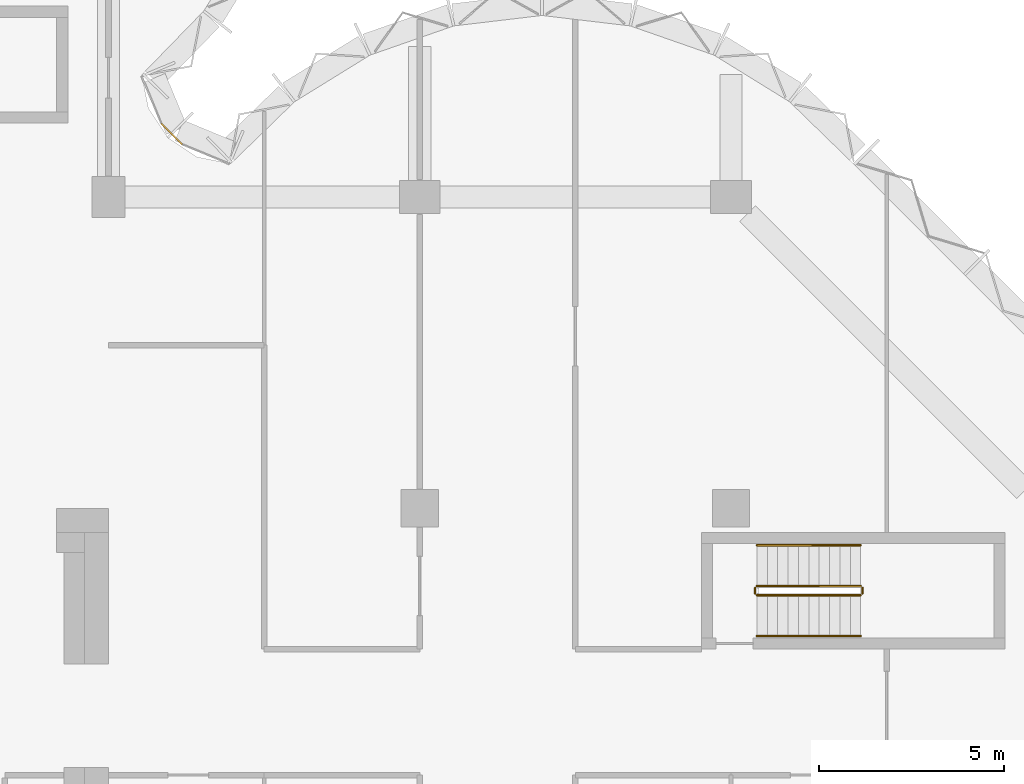
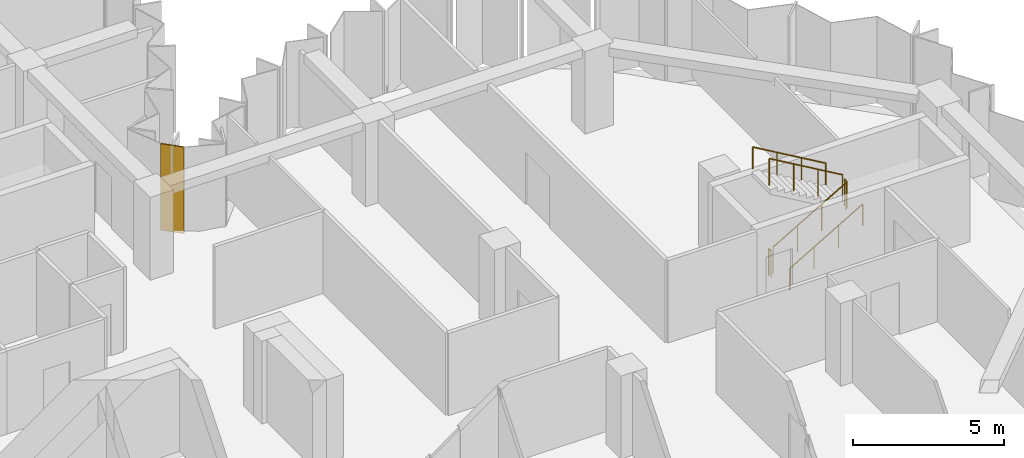
# One storey, part 10 of 10: 6 railings, 1 covering, 1 element without a shape of its own.
"""IFC4 building model written with IfcOpenShell, lengths in metres."""

from ifc_helpers import new_model, si_unit, direction, frame, origin, origin_2d, place, context, subcontext, project, spatial, polyline, circle, outline, extrude, material, layer, layer_set, type_object, element, aggregate, save


model = new_model("IFC4")

# Units and contexts
model_context = context("Model", 3, precision=1e-05, world=origin(), true_north=direction((0.0, 1.0)))
body_context = subcontext(model_context, "Body", "Model", "MODEL_VIEW")
ifc_project = project(units=[si_unit("LENGTHUNIT", "METRE"), si_unit("AREAUNIT", "SQUARE_METRE"), si_unit("VOLUMEUNIT", "CUBIC_METRE"), si_unit("PLANEANGLEUNIT", "RADIAN"), si_unit("MASSUNIT", "GRAM", prefix="KILO")], contexts=[model_context])

# Site, building, storey
site_placement = place(None, origin())
site = spatial("IfcSite", under=ifc_project, at=site_placement, CompositionType="ELEMENT")
building_placement = place(site_placement, origin())
building = spatial("IfcBuilding", under=site, at=building_placement, Name="Brevane Broadcast Tower", CompositionType="ELEMENT")
storey_placement = place(building_placement, frame((0.0, 0.0, 195.60009765625)))
storey = spatial("IfcBuildingStorey", under=building, at=storey_placement, Name="L49", CompositionType="ELEMENT", Elevation=195.60009765625)

# Railings
ifc_material_1 = material(Name="Steel S355", Category="steel")
railing_type_1 = type_object("IfcRailingType", Name="Exit stair guard", PredefinedType="GUARDRAIL", material=ifc_material_1)
railing_1_placement = place(storey_placement, frame((42.699951171875, 14.449951171875, 0.16357421875)))
element("IfcRailing", 1, at=railing_1_placement, inside=storey, type_object=railing_type_1, Name="L49 ST-4 stair guard 1", PredefinedType="GUARDRAIL", context=body_context, shape_type="SweptSolid", body=[
    extrude(circle(Radius=0.02392578125, at=origin_2d()), frame((0.0, 0.0, 1.076171875), z_axis=(0.863393664356, 0.0, 0.504530851732), x_axis=(0.0, 1.0, 0.0)), (0.0, 0.0, 1.0), 3.2431640625),
    extrude(circle(Radius=0.02099609375, at=origin_2d()), origin(), (0.0, 0.0, 1.0), 1.052001953125),
    extrude(circle(Radius=0.02099609375, at=origin_2d()), frame((0.933349609375, 0.0, 0.54541015625)), (0.0, 0.0, 1.0), 1.052001953125),
    extrude(circle(Radius=0.02099609375, at=origin_2d()), frame((1.86669921875, 0.0, 1.0908203125)), (0.0, 0.0, 1.0), 1.052001953125),
    extrude(circle(Radius=0.02099609375, at=origin_2d()), frame((2.800048828125, 0.0, 1.63623046875)), (0.0, 0.0, 1.0), 1.052001953125),
])
railing_2_placement = place(storey_placement, frame((45.550048828125, 14.5, 1.7998046875)))
element("IfcRailing", 2, at=railing_2_placement, inside=storey, type_object=railing_type_1, Name="L49 ST-4 stair guard 2", PredefinedType="GUARDRAIL", context=body_context, shape_type="SweptSolid", body=[
    extrude(circle(Radius=0.02392578125, at=origin_2d()), frame((0.0, 0.0, 1.076171875), z_axis=(0.0, 1.0, 0.0), x_axis=(-1.0, 0.0, 0.0)), (0.0, 0.0, 1.0), 0.14990234375),
    extrude(circle(Radius=0.02099609375, at=origin_2d()), origin(), (0.0, 0.0, 1.0), 1.052001953125),
    extrude(circle(Radius=0.02099609375, at=origin_2d()), frame((0.0, 0.14990234375, 0.0)), (0.0, 0.0, 1.0), 1.052001953125),
])
railing_3_placement = place(storey_placement, frame((45.5, 14.699951171875, 1.963623046875)))
element("IfcRailing", 3, at=railing_3_placement, inside=storey, type_object=railing_type_1, Name="L49 ST-4 stair guard 3", PredefinedType="GUARDRAIL", context=body_context, shape_type="SweptSolid", body=[
    extrude(circle(Radius=0.02392578125, at=origin_2d()), frame((0.0, 0.0, 1.076171875), z_axis=(-0.863393664356, 0.0, 0.504530851732), x_axis=(0.0, -1.0, 0.0)), (0.0, 0.0, 1.0), 3.2431640625),
    extrude(circle(Radius=0.02099609375, at=origin_2d()), origin(), (0.0, 0.0, 1.0), 1.052001953125),
    extrude(circle(Radius=0.02099609375, at=origin_2d()), frame((-0.933349609375, 0.0, 0.54541015625)), (0.0, 0.0, 1.0), 1.052001953125),
    extrude(circle(Radius=0.02099609375, at=origin_2d()), frame((-1.86669921875, 0.0, 1.0908203125)), (0.0, 0.0, 1.0), 1.052001953125),
    extrude(circle(Radius=0.02099609375, at=origin_2d()), frame((-2.800048828125, 0.0, 1.63623046875)), (0.0, 0.0, 1.0), 1.052001953125),
])
railing_4_placement = place(storey_placement, frame((42.64990234375, 14.5, 0.0)))
element("IfcRailing", 4, at=railing_4_placement, inside=storey, type_object=railing_type_1, Name="L49 ST-4 stair guard 4", PredefinedType="GUARDRAIL", context=body_context, shape_type="SweptSolid", body=[
    extrude(circle(Radius=0.02392578125, at=origin_2d()), frame((0.0, 0.0, 1.076171875), z_axis=(0.0, 1.0, 0.0), x_axis=(-1.0, 0.0, 0.0)), (0.0, 0.0, 1.0), 0.14990234375),
    extrude(circle(Radius=0.02099609375, at=origin_2d()), origin(), (0.0, 0.0, 1.0), 1.052001953125),
    extrude(circle(Radius=0.02099609375, at=origin_2d()), frame((0.0, 0.14990234375, 0.0)), (0.0, 0.0, 1.0), 1.052001953125),
])
railing_type_2 = type_object("IfcRailingType", Name="Exit stair handrail", PredefinedType="HANDRAIL", material=ifc_material_1)
railing_5_placement = place(storey_placement, frame((42.699951171875, 13.35009765625, 0.16357421875)))
element("IfcRailing", 5, at=railing_5_placement, inside=storey, type_object=railing_type_2, Name="L49 ST-4 stair handrail 1", PredefinedType="HANDRAIL", context=body_context, shape_type="SweptSolid", body=[
    extrude(circle(Radius=0.02392578125, at=origin_2d()), frame((0.0, 0.0, 0.8759765625), z_axis=(0.863393664356, 0.0, 0.504530851732), x_axis=(0.0, 1.0, 0.0)), (0.0, 0.0, 1.0), 3.2431640625),
    extrude(circle(Radius=0.02099609375, at=origin_2d()), origin(), (0.0, 0.0, 1.0), 0.851806640625),
    extrude(circle(Radius=0.02099609375, at=origin_2d()), frame((0.933349609375, 0.0, 0.54541015625)), (0.0, 0.0, 1.0), 0.851806640625),
    extrude(circle(Radius=0.02099609375, at=origin_2d()), frame((1.86669921875, 0.0, 1.0908203125)), (0.0, 0.0, 1.0), 0.851806640625),
    extrude(circle(Radius=0.02099609375, at=origin_2d()), frame((2.800048828125, 0.0, 1.63623046875)), (0.0, 0.0, 1.0), 0.851806640625),
])
railing_6_placement = place(storey_placement, frame((45.5, 15.800048828125, 1.963623046875)))
element("IfcRailing", 6, at=railing_6_placement, inside=storey, type_object=railing_type_2, Name="L49 ST-4 stair handrail 2", PredefinedType="HANDRAIL", context=body_context, shape_type="SweptSolid", body=[
    extrude(circle(Radius=0.02392578125, at=origin_2d()), frame((0.0, 0.0, 0.8759765625), z_axis=(-0.863393664356, 0.0, 0.504530851732), x_axis=(0.0, -1.0, 0.0)), (0.0, 0.0, 1.0), 3.2431640625),
    extrude(circle(Radius=0.02099609375, at=origin_2d()), origin(), (0.0, 0.0, 1.0), 0.851806640625),
    extrude(circle(Radius=0.02099609375, at=origin_2d()), frame((-0.933349609375, 0.0, 0.54541015625)), (0.0, 0.0, 1.0), 0.851806640625),
    extrude(circle(Radius=0.02099609375, at=origin_2d()), frame((-1.86669921875, 0.0, 1.0908203125)), (0.0, 0.0, 1.0), 0.851806640625),
    extrude(circle(Radius=0.02099609375, at=origin_2d()), frame((-2.800048828125, 0.0, 1.63623046875)), (0.0, 0.0, 1.0), 0.851806640625),
])

# Curtain wall, covering
ifc_material_2 = material(Name="Aluminium 6063-T6 bronze anodised", Category="aluminium")
curtain_wall_type = type_object("IfcCurtainWallType", Name="CW-1 curtain wall", PredefinedType="NOTDEFINED", material=ifc_material_2)
curtain_wall_placement = place(storey_placement, origin())
curtain_wall = element("IfcCurtainWall", 7, at=curtain_wall_placement, inside=storey, type_object=curtain_wall_type, Name="CW-1 typical tilted unit L49 inner corner", PredefinedType="NOTDEFINED")
ifc_material_3 = material(Name="Back-painted bronze glass shadow-box", Category="glass")
ifc_layer = layer(ifc_material_3, 0.0400390625)
ifc_layer_set = layer_set([ifc_layer], Name="Shadow-box panel 40")
covering_type = type_object("IfcCoveringType", Name="Shadow-box panel 40", PredefinedType="CLADDING", material=ifc_layer_set)
covering_placement = place(storey_placement, frame((0.0, 0.0, -0.150146484375)))
covering = element("IfcCovering", 8, at=covering_placement, type_object=covering_type, Name="Closure panel", PredefinedType="CLADDING", context=body_context, shape_type="SweptSolid", body=[
    extrude(outline(polyline([(27.17138671875, 26.60498046875), (27.2021484375, 26.635498046875), (26.635498046875, 27.2021484375), (26.60498046875, 27.17138671875), (27.17138671875, 26.60498046875)])), origin(), (0.0, 0.0, 1.0), 3.5),
])
aggregate(curtain_wall, [covering])

save(model, "model.ifc")
